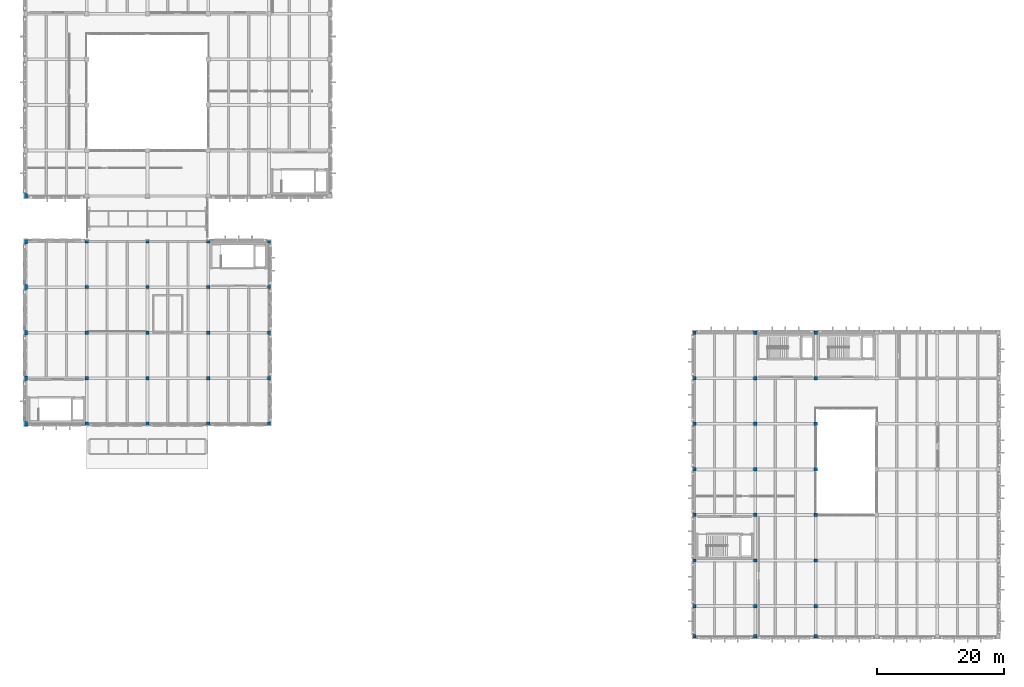
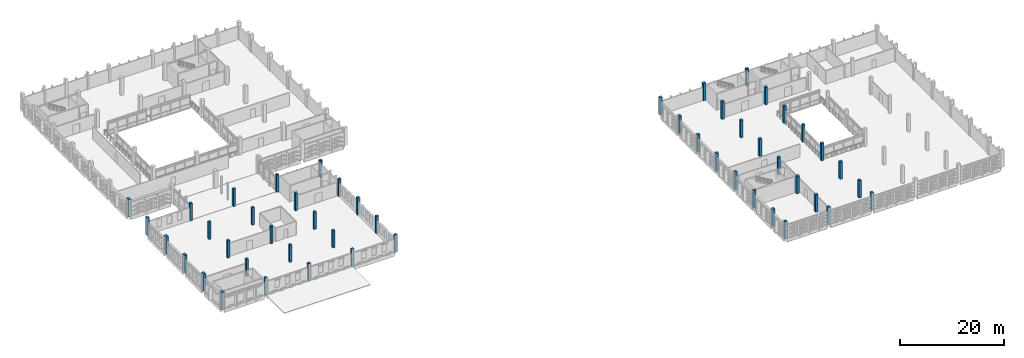
# One storey, part 1 of 72: 50 columns.
"""IFC4 building model written with IfcOpenShell, lengths in metres."""

import ifcopenshell
import ifcopenshell.guid

model = None  # the IFC model being written
_history = None  # IfcOwnerHistory: only IFC2X3 demands one
_inside = {}  # id of a spatial element -> (the spatial element, [elements in it])
_under = {}  # id of a project, library or spatial element -> (it, [spatial elements below it])
_declared = {}  # id of a project -> (the project, [libraries it declares])
_typed = {}  # id of a type object -> (the type object, [elements of that type])
_made_of = {}  # id of a material, layer set ... -> (it, [elements and type objects made of it])


def new_model(schema):
    """Start an empty IFC model of exactly this schema.

    Asked for "IFC4X3", IfcOpenShell would pick the latest addendum, in which some entities
    have other attributes; the version numbers below select the first issue.
    IFC2X3 requires an IfcOwnerHistory on every rooted entity: one is made here for all.
    """
    global model, _history
    if schema == "IFC4X3":
        model = ifcopenshell.file(schema_version=(4, 3, 0, 0))
    else:
        model = ifcopenshell.file(schema=schema)
    _inside.clear()
    _under.clear()
    _declared.clear()
    _typed.clear()
    _made_of.clear()
    _history = None
    if model.schema == "IFC2X3":
        org = make("IfcOrganization", Name="unknown")
        user = make(
            "IfcPersonAndOrganization",
            ThePerson=make("IfcPerson", FamilyName="unknown"),
            TheOrganization=org,
        )
        app = make(
            "IfcApplication",
            ApplicationDeveloper=org,
            Version="unknown",
            ApplicationFullName="unknown",
            ApplicationIdentifier="unknown",
        )
        _history = make(
            "IfcOwnerHistory",
            OwningUser=user,
            OwningApplication=app,
            ChangeAction="ADDED",
            CreationDate=0,
        )
    return model


def make(cls, **values):
    """One entity of the class cls with the attributes given. An attribute that is None is left unset."""
    return model.create_entity(
        cls, **{name: value for name, value in values.items() if value is not None}
    )


def rooted(cls, **values):
    """An entity with a GlobalId (a new one), such as an element, a storey or a relation."""
    return make(cls, GlobalId=ifcopenshell.guid.new(), OwnerHistory=_history, **values)


def si_unit(unit_type, name, prefix=None):
    """IfcSIUnit, for example si_unit("LENGTHUNIT", "METRE", prefix="MILLI")."""
    return make("IfcSIUnit", UnitType=unit_type, Prefix=prefix, Name=name)


def assignment(units):
    """IfcUnitAssignment: the units of a project."""
    return None if units is None else make("IfcUnitAssignment", Units=units)


def point(xyz):
    """IfcCartesianPoint."""
    return None if xyz is None else make("IfcCartesianPoint", Coordinates=xyz)


def direction(xyz):
    """IfcDirection."""
    return None if xyz is None else make("IfcDirection", DirectionRatios=xyz)


def frame(location, z_axis=None, x_axis=None):
    """IfcAxis2Placement3D, a coordinate frame: its origin and axes. An axis left out is left unset."""
    return make(
        "IfcAxis2Placement3D",
        Location=point(location),
        Axis=direction(z_axis),
        RefDirection=direction(x_axis),
    )


def frame_2d(location, x_axis=None):
    """IfcAxis2Placement2D, a coordinate frame in the plane: its origin and x axis."""
    return make(
        "IfcAxis2Placement2D", Location=point(location), RefDirection=direction(x_axis)
    )


def origin():
    """The frame at (0, 0, 0) with its axes left unset."""
    return frame((0.0, 0.0, 0.0))


def origin_2d():
    """The frame at (0, 0) in the plane with its x axis left unset."""
    return frame_2d((0.0, 0.0))


def place(relative_to, where):
    """IfcLocalPlacement: puts the frame where relative to a parent placement (None: the world)."""
    return make(
        "IfcLocalPlacement", PlacementRelTo=relative_to, RelativePlacement=where
    )


def context(
    kind, dimensions, precision=None, world=None, true_north=None, identifier=None
):
    """IfcGeometricRepresentationContext, for example the 3D "Model" context."""
    return make(
        "IfcGeometricRepresentationContext",
        ContextIdentifier=identifier,
        ContextType=kind,
        CoordinateSpaceDimension=dimensions,
        Precision=precision,
        WorldCoordinateSystem=world,
        TrueNorth=true_north,
    )


def subcontext(parent, identifier, kind, view, scale=None):
    """IfcGeometricRepresentationSubContext, for example "Body" below "Model"."""
    return make(
        "IfcGeometricRepresentationSubContext",
        ContextIdentifier=identifier,
        ContextType=kind,
        ParentContext=parent,
        TargetScale=scale,
        TargetView=view,
    )


def project(units=None, contexts=None):
    """IfcProject with its units and contexts."""
    return rooted(
        "IfcProject",
        Name="project",
        RepresentationContexts=contexts,
        UnitsInContext=assignment(units),
    )


def spatial(cls, under=None, at=None, **own):
    """A site, building, storey or space (cls), placed at a placement, below another one or the project."""
    s = rooted(cls, ObjectPlacement=at, **own)
    if under is not None:
        _under.setdefault(under.id(), (under, []))[1].append(s)
    return s


def profile(cls, at=None, kind="AREA", **sizes):
    """A parametric profile (cls). Its sizes go by their IFC names, for example OverallWidth=200.0."""
    return make(cls, ProfileType=kind, Position=at, **sizes)


def rectangle(**sizes):
    """IfcRectangleProfileDef."""
    return profile("IfcRectangleProfileDef", **sizes)


def extrude(swept, where, along, depth):
    """IfcExtrudedAreaSolid: the profile swept, set in the frame where, extruded along a direction by depth."""
    return make(
        "IfcExtrudedAreaSolid",
        SweptArea=swept,
        Position=where,
        ExtrudedDirection=direction(along),
        Depth=depth,
    )


def shape(context_of_items, identifier, shape_type, items):
    """IfcShapeRepresentation: the items that make up one representation, for example the "Body"."""
    return make(
        "IfcShapeRepresentation",
        ContextOfItems=context_of_items,
        RepresentationIdentifier=identifier,
        RepresentationType=shape_type,
        Items=items,
    )


def material(Name=None, Category=None):
    """IfcMaterial."""
    return make("IfcMaterial", Name=Name, Category=Category)


def material_profile(
    of_material, cross_section, Name=None, Category=None, Priority=None
):
    """IfcMaterialProfile: a cross section and its material."""
    return make(
        "IfcMaterialProfile",
        Name=Name,
        Material=of_material,
        Profile=cross_section,
        Priority=Priority,
        Category=Category,
    )


def profile_set(profiles, Name=None, composite=None):
    """IfcMaterialProfileSet."""
    return make(
        "IfcMaterialProfileSet",
        Name=Name,
        MaterialProfiles=profiles,
        CompositeProfile=composite,
    )


def made_of(thing, what):
    """Note that an element or type object is made of a material, layer set ...; save() writes the relation."""
    if what is not None:
        _made_of.setdefault(what.id(), (what, []))[1].append(thing)
    return thing


def type_object(cls, material=None, **own):
    """A type object (cls), such as IfcWallType, which elements share."""
    return made_of(rooted(cls, **own), material)


def element(
    cls,
    number,
    at=None,
    inside=None,
    cuts=None,
    type_object=None,
    material=None,
    context=None,
    identifier="Body",
    shape_type=None,
    held_by="IfcProductDefinitionShape",
    body=None,
    shapes=None,
    **own,
):
    """One element of the class cls, such as IfcWall. Its Tag is "e" and its number.

    at: its placement. inside: the storey or other place that contains it. cuts: it is an
    opening in that element (IfcRelVoidsElement). A single representation is given by context,
    identifier, shape_type and body (its items); several are given by shapes. held_by: the class
    of the entity that holds the representations. save() writes the other relations.
    """
    e = rooted(cls, Tag="e%d" % number, ObjectPlacement=at, **own)
    if body is not None:
        shapes = [shape(context, identifier, shape_type, body)]
    if shapes is not None:
        e.Representation = make(held_by, Representations=shapes)
    if inside is not None:
        _inside.setdefault(inside.id(), (inside, []))[1].append(e)
    if cuts is not None:
        rooted(
            "IfcRelVoidsElement", RelatingBuildingElement=cuts, RelatedOpeningElement=e
        )
    if type_object is not None:
        _typed.setdefault(type_object.id(), (type_object, []))[1].append(e)
    return made_of(e, material)


def aggregate(whole, parts):
    """IfcRelAggregates: a whole, such as a stair, and the parts it consists of."""
    return rooted("IfcRelAggregates", RelatingObject=whole, RelatedObjects=parts)


def save(model, path):
    """Write the relations noted so far, then the file.

    IfcRelAggregates (storeys below a building ...), IfcRelContainedInSpatialStructure (elements
    in a storey), IfcRelDefinesByType, IfcRelAssociatesMaterial and IfcRelDeclares: one each for
    every whole, place, type object, material and project.
    """
    for whole, parts in _under.values():
        aggregate(whole, parts)
    for where, things in _inside.values():
        rooted(
            "IfcRelContainedInSpatialStructure",
            RelatedElements=things,
            RelatingStructure=where,
        )
    for kind, things in _typed.values():
        rooted("IfcRelDefinesByType", RelatedObjects=things, RelatingType=kind)
    for what, things in _made_of.values():
        rooted("IfcRelAssociatesMaterial", RelatedObjects=things, RelatingMaterial=what)
    for by, libraries in _declared.values():
        rooted("IfcRelDeclares", RelatingContext=by, RelatedDefinitions=libraries)
    model.write(path)


model = new_model("IFC4")

# Units and contexts
model_context = context("Model", 3, precision=1e-05, world=origin(), true_north=direction((0.0, 1.0)))
body_context = subcontext(model_context, "Body", "Model", "MODEL_VIEW")
ifc_project = project(units=[si_unit("LENGTHUNIT", "METRE"), si_unit("AREAUNIT", "SQUARE_METRE"), si_unit("VOLUMEUNIT", "CUBIC_METRE"), si_unit("PLANEANGLEUNIT", "RADIAN"), si_unit("MASSUNIT", "GRAM", prefix="KILO")], contexts=[model_context])

# Site, building, storey
site_placement = place(None, origin())
site = spatial("IfcSite", under=ifc_project, at=site_placement, CompositionType="ELEMENT")
building_placement = place(site_placement, origin())
building = spatial("IfcBuilding", under=site, at=building_placement, Name="Asteropetra Specialist Clinic", CompositionType="ELEMENT")
storey_placement = place(building_placement, frame((0.0, 0.0, 12.580078125)))
storey = spatial("IfcBuildingStorey", under=building, at=storey_placement, Name="L03", CompositionType="ELEMENT", Elevation=12.580078125)

# Columns
ifc_material_1 = material(Name="Concrete C35/45", Category="concrete")
ifc_material_profile_1 = material_profile(ifc_material_1, rectangle(XDim=0.5, YDim=0.5, at=origin_2d()), Name="RC 500x500")
ifc_profile_set_1 = profile_set([ifc_material_profile_1], Name="Concrete C35/45")
column_type_1 = type_object("IfcColumnType", Name="COL-RC500", PredefinedType="COLUMN", material=ifc_profile_set_1)
for number, where, z_axis, x_axis, name in (
    (1, (9.60009765625, 33.60009765625, 0.0), (0.0, 0.0, 1.0), (1.0, 0.0, 0.0), "Column CCOL07-0100"),
    (2, (9.60009765625, 40.800048828125, 0.0), (0.0, 0.0, 1.0), (1.0, 0.0, 0.0), "Column CCOL07-0105"),
    (3, (9.60009765625, 48.0, 0.0), (0.0, 0.0, 1.0), (1.0, 0.0, 0.0), "Column CCOL07-0110"),
    (4, (9.60009765625, 55.199951171875, 0.0), (0.0, 0.0, 1.0), (1.0, 0.0, 0.0), "Column CCOL07-0115"),
    (5, (9.60009765625, 62.39990234375, 0.0), (0.0, 0.0, 1.0), (1.0, 0.0, 0.0), "Column CCOL07-0120"),
    (6, (19.199951171875, 33.60009765625, 0.0), (0.0, 0.0, 1.0), (1.0, 0.0, 0.0), "Column CCOL07-0204"),
    (7, (19.199951171875, 40.800048828125, 0.0), (0.0, 0.0, 1.0), (1.0, 0.0, 0.0), "Column CCOL07-0209"),
    (8, (19.199951171875, 48.0, 0.0), (0.0, 0.0, 1.0), (1.0, 0.0, 0.0), "Column CCOL07-0214"),
    (9, (19.199951171875, 55.199951171875, 0.0), (0.0, 0.0, 1.0), (1.0, 0.0, 0.0), "Column CCOL07-0219"),
    (10, (19.199951171875, 62.39990234375, 0.0), (0.0, 0.0, 1.0), (1.0, 0.0, 0.0), "Column CCOL07-0224"),
    (11, (28.800048828125, 33.60009765625, 0.0), (0.0, 0.0, 1.0), (1.0, 0.0, 0.0), "Column CCOL07-0296"),
    (12, (28.800048828125, 40.800048828125, 0.0), (0.0, 0.0, 1.0), (1.0, 0.0, 0.0), "Column CCOL07-0301"),
    (13, (28.800048828125, 48.0, 0.0), (0.0, 0.0, 1.0), (1.0, 0.0, 0.0), "Column CCOL07-0306"),
    (14, (28.800048828125, 55.199951171875, 0.0), (0.0, 0.0, 1.0), (1.0, 0.0, 0.0), "Column CCOL07-0311"),
    (15, (28.800048828125, 62.39990234375, 0.0), (0.0, 0.0, 1.0), (1.0, 0.0, 0.0), "Column CCOL07-0316"),
    (16, (38.39990234375, 33.60009765625, 0.0), (0.0, 0.0, 1.0), (1.0, 0.0, 0.0), "Column CCOL07-0376"),
    (17, (38.39990234375, 40.800048828125, 0.0), (0.0, 0.0, 1.0), (1.0, 0.0, 0.0), "Column CCOL07-0381"),
    (18, (38.39990234375, 48.0, 0.0), (0.0, 0.0, 1.0), (1.0, 0.0, 0.0), "Column CCOL07-0386"),
    (19, (38.39990234375, 55.199951171875, 0.0), (0.0, 0.0, 1.0), (1.0, 0.0, 0.0), "Column CCOL07-0391"),
    (20, (38.39990234375, 62.39990234375, 0.0), (0.0, 0.0, 1.0), (1.0, 0.0, 0.0), "Column CCOL07-0396"),
):
    element("IfcColumn", number, at=place(storey_placement, frame(where, z_axis=z_axis, x_axis=x_axis)), inside=storey, type_object=column_type_1, Name=name, PredefinedType="COLUMN", context=body_context, shape_type="SweptSolid", body=[
        extrude(rectangle(XDim=0.5, YDim=0.5, at=origin_2d()), origin(), (0.0, 0.0, 1.0), 4.079833984375),
    ])
ifc_material_2 = material(Name="Concrete C35/45", Category="concrete")
ifc_material_profile_2 = material_profile(ifc_material_2, rectangle(XDim=0.550048828125, YDim=0.550048828125, at=origin_2d()), Name="RC 550x550")
ifc_profile_set_2 = profile_set([ifc_material_profile_2], Name="Concrete C35/45")
column_type_2 = type_object("IfcColumnType", Name="COL-RC550", PredefinedType="COLUMN", material=ifc_profile_set_2)
for number, where, z_axis, x_axis, name in (
    (21, (105.60009765625, 0.0, 0.0), (0.0, 0.0, 1.0), (1.0, 0.0, 0.0), "Column CCOL06-0637"),
    (22, (105.60009765625, 4.800048828125, 0.0), (0.0, 0.0, 1.0), (1.0, 0.0, 0.0), "Column CCOL06-0642"),
    (23, (105.60009765625, 12.0, 0.0), (0.0, 0.0, 1.0), (1.0, 0.0, 0.0), "Column CCOL06-0647"),
    (24, (105.60009765625, 19.199951171875, 0.0), (0.0, 0.0, 1.0), (1.0, 0.0, 0.0), "Column CCOL06-0652"),
    (25, (105.60009765625, 26.39990234375, 0.0), (0.0, 0.0, 1.0), (1.0, 0.0, 0.0), "Column CCOL06-0657"),
    (26, (105.60009765625, 33.60009765625, 0.0), (0.0, 0.0, 1.0), (1.0, 0.0, 0.0), "Column CCOL06-0662"),
    (27, (105.60009765625, 40.800048828125, 0.0), (0.0, 0.0, 1.0), (1.0, 0.0, 0.0), "Column CCOL06-0667"),
    (28, (105.60009765625, 48.0, 0.0), (0.0, 0.0, 1.0), (1.0, 0.0, 0.0), "Column CCOL06-0672"),
    (29, (115.199951171875, 0.0, 0.0), (0.0, 0.0, 1.0), (1.0, 0.0, 0.0), "Column CCOL06-0687"),
    (30, (115.199951171875, 4.800048828125, 0.0), (0.0, 0.0, 1.0), (1.0, 0.0, 0.0), "Column CCOL06-0692"),
    (31, (115.199951171875, 12.0, 0.0), (0.0, 0.0, 1.0), (1.0, 0.0, 0.0), "Column CCOL06-0697"),
    (32, (115.199951171875, 19.199951171875, 0.0), (0.0, 0.0, 1.0), (1.0, 0.0, 0.0), "Column CCOL06-0702"),
    (33, (115.199951171875, 26.39990234375, 0.0), (0.0, 0.0, 1.0), (1.0, 0.0, 0.0), "Column CCOL06-0707"),
    (34, (115.199951171875, 33.60009765625, 0.0), (0.0, 0.0, 1.0), (1.0, 0.0, 0.0), "Column CCOL06-0712"),
    (35, (115.199951171875, 40.800048828125, 0.0), (0.0, 0.0, 1.0), (1.0, 0.0, 0.0), "Column CCOL06-0717"),
    (36, (115.199951171875, 48.0, 0.0), (0.0, 0.0, 1.0), (1.0, 0.0, 0.0), "Column CCOL06-0722"),
    (37, (124.800048828125, 0.0, 0.0), (0.0, 0.0, 1.0), (1.0, 0.0, 0.0), "Column CCOL06-0749"),
    (38, (124.800048828125, 4.800048828125, 0.0), (0.0, 0.0, 1.0), (1.0, 0.0, 0.0), "Column CCOL06-0754"),
    (39, (124.800048828125, 12.0, 0.0), (0.0, 0.0, 1.0), (1.0, 0.0, 0.0), "Column CCOL06-0759"),
    (40, (124.800048828125, 19.199951171875, 0.0), (0.0, 0.0, 1.0), (1.0, 0.0, 0.0), "Column CCOL06-0764"),
    (41, (124.800048828125, 26.39990234375, 0.0), (0.0, 0.0, 1.0), (1.0, 0.0, 0.0), "Column CCOL06-0769"),
    (42, (124.800048828125, 33.60009765625, 0.0), (0.0, 0.0, 1.0), (1.0, 0.0, 0.0), "Column CCOL06-0774"),
    (43, (124.800048828125, 40.800048828125, 0.0), (0.0, 0.0, 1.0), (1.0, 0.0, 0.0), "Column CCOL06-0779"),
    (44, (124.800048828125, 48.0, 0.0), (0.0, 0.0, 1.0), (1.0, 0.0, 0.0), "Column CCOL06-0784"),
):
    element("IfcColumn", number, at=place(storey_placement, frame(where, z_axis=z_axis, x_axis=x_axis)), inside=storey, type_object=column_type_2, Name=name, PredefinedType="COLUMN", context=body_context, shape_type="SweptSolid", body=[
        extrude(rectangle(XDim=0.550048828125, YDim=0.550048828125, at=origin_2d()), origin(), (0.0, 0.0, 1.0), 4.079833984375),
    ])
ifc_material_3 = material(Name="Concrete C35/45", Category="concrete")
ifc_material_profile_3 = material_profile(ifc_material_3, rectangle(XDim=0.550048828125, YDim=0.75, at=origin_2d()), Name="RC 550x750")
ifc_profile_set_3 = profile_set([ifc_material_profile_3], Name="Concrete C35/45")
column_type_3 = type_object("IfcColumnType", Name="COL-RC550x750", PredefinedType="COLUMN", material=ifc_profile_set_3)
for number, where, z_axis, x_axis, name in (
    (45, (0.0, 33.60009765625, 0.0), (0.0, 0.0, 1.0), (1.0, 0.0, 0.0), "Column CCOL10-0020"),
    (46, (0.0, 40.800048828125, 0.0), (0.0, 0.0, 1.0), (1.0, 0.0, 0.0), "Column CCOL10-0025"),
    (47, (0.0, 48.0, 0.0), (0.0, 0.0, 1.0), (1.0, 0.0, 0.0), "Column CCOL10-0030"),
    (48, (0.0, 55.199951171875, 0.0), (0.0, 0.0, 1.0), (1.0, 0.0, 0.0), "Column CCOL10-0035"),
    (49, (0.0, 62.39990234375, 0.0), (0.0, 0.0, 1.0), (1.0, 0.0, 0.0), "Column CCOL10-0040"),
    (50, (0.0, 69.60009765625, 0.0), (0.0, 0.0, 1.0), (1.0, 0.0, 0.0), "Column CCOL10-0044"),
):
    element("IfcColumn", number, at=place(storey_placement, frame(where, z_axis=z_axis, x_axis=x_axis)), inside=storey, type_object=column_type_3, Name=name, PredefinedType="COLUMN", context=body_context, shape_type="SweptSolid", body=[
        extrude(rectangle(XDim=0.550048828125, YDim=0.75, at=origin_2d()), origin(), (0.0, 0.0, 1.0), 4.079833984375),
    ])

save(model, "model.ifc")
